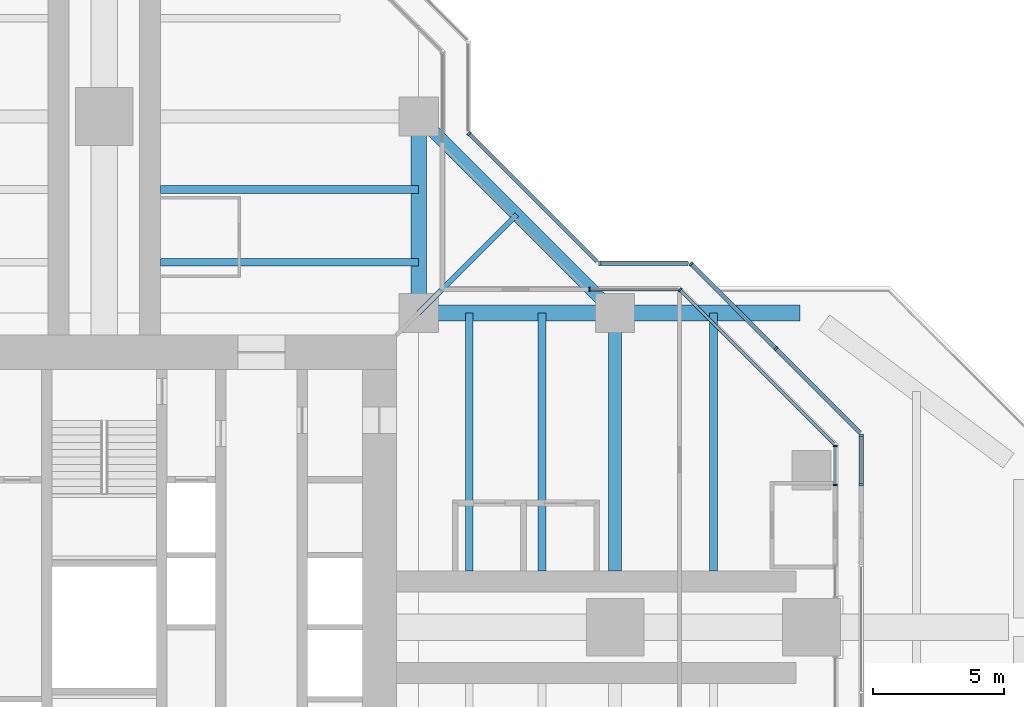
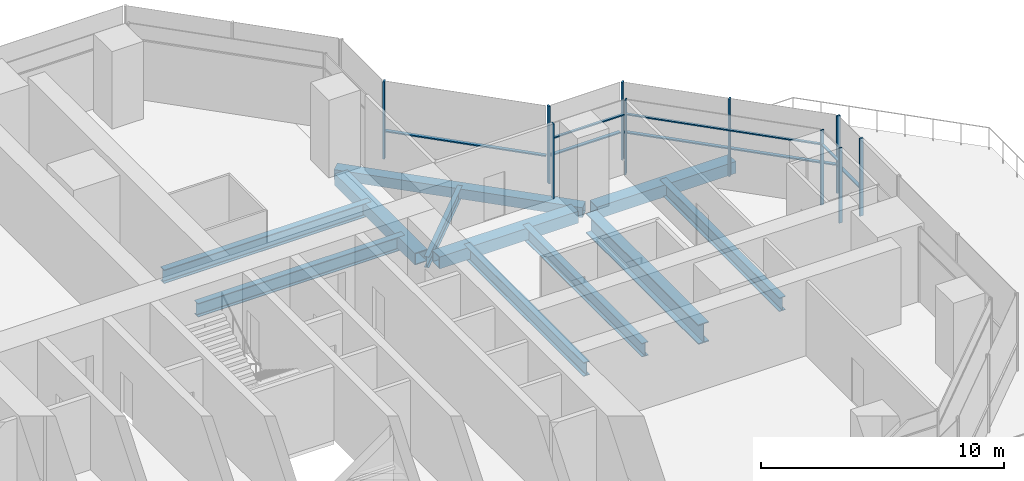
# One storey, part 9 of 19: 18 members, 11 beams, 7 elements without a shape of their own.
"""IFC4 building model written with IfcOpenShell, lengths in metres."""

from ifc_helpers import new_model, si_unit, direction, frame, origin, origin_2d, place, context, subcontext, project, spatial, rectangle, hollow_rectangle, i_section, extrude, material, material_profile, profile_set, type_object, element, aggregate, save


model = new_model("IFC4")

# Units and contexts
model_context = context("Model", 3, precision=1e-05, world=origin(), true_north=direction((0.0, 1.0)))
body_context = subcontext(model_context, "Body", "Model", "MODEL_VIEW")
ifc_project = project(units=[si_unit("LENGTHUNIT", "METRE"), si_unit("AREAUNIT", "SQUARE_METRE"), si_unit("VOLUMEUNIT", "CUBIC_METRE"), si_unit("PLANEANGLEUNIT", "RADIAN"), si_unit("MASSUNIT", "GRAM", prefix="KILO")], contexts=[model_context])

# Site, building, storey
site_placement = place(None, origin())
site = spatial("IfcSite", under=ifc_project, at=site_placement, CompositionType="ELEMENT")
building_placement = place(site_placement, origin())
building = spatial("IfcBuilding", under=site, at=building_placement, Name="Mizan Broadcast Tower", CompositionType="ELEMENT")
storey_placement = place(building_placement, frame((0.0, 0.0, 204.89990234375)))
storey = spatial("IfcBuildingStorey", under=building, at=storey_placement, Name="L47", CompositionType="ELEMENT", Elevation=204.89990234375)

# Beams
ifc_material_1 = material(Name="Steel S355", Category="steel")
ifc_material_profile_1 = material_profile(ifc_material_1, hollow_rectangle(XDim=0.5, YDim=0.5, WallThickness=0.030029296875, at=origin_2d()), Name="BOX 500x500x30")
ifc_profile_set_1 = profile_set([ifc_material_profile_1], Name="Steel S355")
beam_type_1 = type_object("IfcBeamType", Name="EDGE BEAM BOX 500x500x30", PredefinedType="SPANDREL", material=ifc_profile_set_1)
beam_1_placement = place(storey_placement, frame((19.5, 12.0, -0.3798828125), z_axis=(-0.707106781187, 0.707106781187, 0.0), x_axis=(-0.707106781187, -0.707106781187, 0.0)))
element("IfcBeam", 1, at=beam_1_placement, inside=storey, type_object=beam_type_1, Name="Winter garden edge beam L47 E", PredefinedType="SPANDREL", context=body_context, shape_type="SweptSolid", body=[
    extrude(hollow_rectangle(XDim=0.5, YDim=0.5, WallThickness=0.030029296875, at=origin_2d()), origin(), (0.0, 0.0, 1.0), 10.606689453125),
])
ifc_material_2 = material(Name="Steel S355", Category="steel")
ifc_material_profile_2 = material_profile(ifc_material_2, hollow_rectangle(XDim=0.60009765625, YDim=0.60009765625, WallThickness=0.0400390625, at=origin_2d()), Name="BOX 600x600x40")
ifc_profile_set_2 = profile_set([ifc_material_profile_2], Name="Steel S355")
beam_type_2 = type_object("IfcBeamType", Name="EDGE BEAM BOX 600x600x40", PredefinedType="SPANDREL", material=ifc_profile_set_2)
for number, where, z_axis, x_axis, name in (
    (2, (12.449951171875, 12.0, -0.429931640625), (1.0, 0.0, 0.0), (0.0, 1.0, 0.0), "Edge beam BOX 600x600x40 L47 east arm"),
    (3, (19.949951171875, 12.0, -0.5498046875), (1.0, 0.0, 0.0), (0.0, 1.0, 0.0), "Edge beam BOX 600x600x40 L47 east arm"),
    (4, (12.0, 12.449951171875, -0.429931640625), (0.0, 1.0, 0.0), (-1.0, 0.0, 0.0), "Edge beam BOX 600x600x40 L47 north arm"),
):
    element("IfcBeam", number, at=place(storey_placement, frame(where, z_axis=z_axis, x_axis=x_axis)), inside=storey, type_object=beam_type_2, Name=name, PredefinedType="SPANDREL", context=body_context, shape_type="SweptSolid", body=[
        extrude(hollow_rectangle(XDim=0.60009765625, YDim=0.60009765625, WallThickness=0.0400390625, at=origin_2d()), origin(), (0.0, 0.0, 1.0), 6.60009765625),
    ])
ifc_material_3 = material(Name="Steel S460", Category="steel")
ifc_material_profile_3 = material_profile(ifc_material_3, i_section(OverallWidth=0.5, OverallDepth=1.0, WebThickness=0.02490234375, FlangeThickness=0.050048828125, at=origin_2d()), Name="WPG 1000x500")
ifc_profile_set_3 = profile_set([ifc_material_profile_3], Name="Steel S460")
beam_type_3 = type_object("IfcBeamType", Name="GIRDER WPG 1000x500", PredefinedType="BEAM", material=ifc_profile_set_3)
beam_2_placement = place(storey_placement, frame((19.5, 11.408935546875, -0.6298828125), z_axis=(0.0, -1.0, 0.0), x_axis=(1.0, 0.0, 0.0)))
element("IfcBeam", 5, at=beam_2_placement, inside=storey, type_object=beam_type_3, Name="Girder WPG 1000x500 L47 east arm", PredefinedType="BEAM", context=body_context, shape_type="SweptSolid", body=[
    extrude(i_section(OverallWidth=0.5, OverallDepth=1.0, WebThickness=0.02490234375, FlangeThickness=0.050048828125, at=origin_2d()), origin(), (0.0, 0.0, 1.0), 9.259033203125),
])

# Curtain wall, members
ifc_material_4 = material(Name="Aluminium framed glazing", Category="aluminium")
curtain_wall_type_1 = type_object("IfcCurtainWallType", Name="INNER SKIN HIGH ZONE", PredefinedType="USERDEFINED", material=ifc_material_4)
curtain_wall_1_placement = place(storey_placement, origin())
curtain_wall_1 = element("IfcCurtainWall", 6, at=curtain_wall_1_placement, inside=storey, type_object=curtain_wall_type_1, Name="Inner skin high zone L47 E end", ObjectType="INNER SKIN HIGH ZONE", PredefinedType="USERDEFINED")
ifc_material_5 = material(Name="Aluminium, pale anodised", Category="aluminium")
ifc_material_profile_4 = material_profile(ifc_material_5, rectangle(XDim=0.159912109375, YDim=0.06005859375, at=origin_2d()), Name="MULLION 160x60")
ifc_profile_set_4 = profile_set([ifc_material_profile_4], Name="Aluminium, pale anodised")
member_type_1 = type_object("IfcMemberType", Name="INNER SKIN MULLION 60x160", PredefinedType="MULLION", material=ifc_profile_set_4)
member_1_placement = place(storey_placement, frame((27.89990234375, 5.429931640625, 0.0), z_axis=(0.0, 0.0, 1.0), x_axis=(-1.0, 0.0, 0.0)))
member_1 = element("IfcMember", 7, at=member_1_placement, type_object=member_type_1, Name="Inner skin high zone L47 E end mullion 1", PredefinedType="MULLION", context=body_context, shape_type="SweptSolid", body=[
    extrude(rectangle(XDim=0.159912109375, YDim=0.06005859375, at=origin_2d()), origin(), (0.0, 0.0, 1.0), 3.77001953125),
])
member_2_placement = place(storey_placement, frame((27.89990234375, 6.928466796875, 0.0), z_axis=(0.0, 0.0, 1.0), x_axis=(-1.0, 0.0, 0.0)))
member_2 = element("IfcMember", 8, at=member_2_placement, type_object=member_type_1, Name="Inner skin high zone L47 E end mullion 2", PredefinedType="MULLION", context=body_context, shape_type="SweptSolid", body=[
    extrude(rectangle(XDim=0.159912109375, YDim=0.06005859375, at=origin_2d()), origin(), (0.0, 0.0, 1.0), 3.77001953125),
])

# Curtain wall, member
curtain_wall_2_placement = place(storey_placement, origin())
curtain_wall_2 = element("IfcCurtainWall", 9, at=curtain_wall_2_placement, inside=storey, type_object=curtain_wall_type_1, Name="Inner skin high zone L47 E chamfer", ObjectType="INNER SKIN HIGH ZONE", PredefinedType="USERDEFINED")
member_3_placement = place(storey_placement, frame((21.979736328125, 12.87890625, 0.0), z_axis=(0.0, 0.0, 1.0), x_axis=(-0.707106781187, -0.707106781187, 0.0)))
member_3 = element("IfcMember", 10, at=member_3_placement, type_object=member_type_1, Name="Inner skin high zone L47 E chamfer mullion 2", PredefinedType="MULLION", context=body_context, shape_type="SweptSolid", body=[
    extrude(rectangle(XDim=0.159912109375, YDim=0.06005859375, at=origin_2d()), origin(), (0.0, 0.0, 1.0), 3.77001953125),
])

curtain_wall_3_placement = place(storey_placement, origin())
curtain_wall_3 = element("IfcCurtainWall", 11, at=curtain_wall_3_placement, inside=storey, type_object=curtain_wall_type_1, Name="Inner skin high zone L47 E side", ObjectType="INNER SKIN HIGH ZONE", PredefinedType="USERDEFINED")
member_4_placement = place(storey_placement, frame((18.530029296875, 12.89990234375, 0.0), z_axis=(0.0, 0.0, 1.0), x_axis=(0.0, -1.0, 0.0)))
member_4 = element("IfcMember", 12, at=member_4_placement, type_object=member_type_1, Name="Inner skin high zone L47 E side mullion 2", PredefinedType="MULLION", context=body_context, shape_type="SweptSolid", body=[
    extrude(rectangle(XDim=0.159912109375, YDim=0.06005859375, at=origin_2d()), origin(), (0.0, 0.0, 1.0), 3.77001953125),
])

# Member
ifc_material_6 = material(Name="Aluminium, pale anodised", Category="aluminium")
ifc_material_profile_5 = material_profile(ifc_material_6, rectangle(XDim=0.1201171875, YDim=0.06005859375, at=origin_2d()), Name="TRANSOM 120x60")
ifc_profile_set_5 = profile_set([ifc_material_profile_5], Name="Aluminium, pale anodised")
member_type_2 = type_object("IfcMemberType", Name="INNER SKIN TRANSOM 60x120", PredefinedType="USERDEFINED", material=ifc_profile_set_5)
member_5_placement = place(storey_placement, frame((27.89990234375, 5.4599609375, 3.030029296875), z_axis=(0.0, 1.0, 0.0), x_axis=(-1.0, 0.0, 0.0)))
member_5 = element("IfcMember", 13, at=member_5_placement, type_object=member_type_2, Name="Inner skin high zone L47 E end transom 1.1", ObjectType="TRANSOM", PredefinedType="USERDEFINED", context=body_context, shape_type="SweptSolid", body=[
    extrude(rectangle(XDim=0.1201171875, YDim=0.06005859375, at=origin_2d()), origin(), (0.0, 0.0, 1.0), 1.438720703125),
])

aggregate(curtain_wall_1, [member_1, member_2, member_5])

member_6_placement = place(storey_placement, frame((27.857666015625, 7.0009765625, 3.030029296875), z_axis=(-0.707106781187, 0.707106781187, 0.0), x_axis=(-0.707106781187, -0.707106781187, 0.0)))
member_6 = element("IfcMember", 14, at=member_6_placement, type_object=member_type_2, Name="Inner skin high zone L47 E chamfer transom 1.1", ObjectType="TRANSOM", PredefinedType="USERDEFINED", context=body_context, shape_type="SweptSolid", body=[
    extrude(rectangle(XDim=0.1201171875, YDim=0.06005859375, at=origin_2d()), origin(), (0.0, 0.0, 1.0), 8.28271484375),
])

aggregate(curtain_wall_2, [member_3, member_6])

member_7_placement = place(storey_placement, frame((21.898681640625, 12.89990234375, 3.030029296875), z_axis=(-1.0, 0.0, 0.0), x_axis=(0.0, -1.0, 0.0)))
member_7 = element("IfcMember", 15, at=member_7_placement, type_object=member_type_2, Name="Inner skin high zone L47 E side transom 1.1", ObjectType="TRANSOM", PredefinedType="USERDEFINED", context=body_context, shape_type="SweptSolid", body=[
    extrude(rectangle(XDim=0.1201171875, YDim=0.06005859375, at=origin_2d()), origin(), (0.0, 0.0, 1.0), 3.338623046875),
])

aggregate(curtain_wall_3, [member_4, member_7])

# Curtain wall, members
ifc_material_7 = material(Name="Aluminium framed glazing", Category="aluminium")
curtain_wall_type_2 = type_object("IfcCurtainWallType", Name="OUTER SKIN", PredefinedType="USERDEFINED", material=ifc_material_7)
curtain_wall_4_placement = place(storey_placement, origin())
curtain_wall_4 = element("IfcCurtainWall", 16, at=curtain_wall_4_placement, inside=storey, type_object=curtain_wall_type_2, Name="Outer skin L47 E end", ObjectType="OUTER SKIN", PredefinedType="USERDEFINED")
ifc_material_8 = material(Name="Aluminium, pale anodised", Category="aluminium")
ifc_material_profile_6 = material_profile(ifc_material_8, rectangle(XDim=0.159912109375, YDim=0.080078125, at=origin_2d()), Name="MULLION 160x80")
ifc_profile_set_6 = profile_set([ifc_material_profile_6], Name="Aluminium, pale anodised")
member_type_3 = type_object("IfcMemberType", Name="OUTER SKIN MULLION 80x160", PredefinedType="MULLION", material=ifc_profile_set_6)
member_8_placement = place(storey_placement, frame((28.89990234375, 5.43994140625, 0.0), z_axis=(0.0, 0.0, 1.0), x_axis=(-1.0, 0.0, 0.0)))
member_8 = element("IfcMember", 17, at=member_8_placement, type_object=member_type_3, Name="Outer skin L47 E end mullion 1", PredefinedType="MULLION", context=body_context, shape_type="SweptSolid", body=[
    extrude(rectangle(XDim=0.159912109375, YDim=0.080078125, at=origin_2d()), origin(), (0.0, 0.0, 1.0), 3.900146484375),
])
member_9_placement = place(storey_placement, frame((28.89990234375, 7.332763671875, 0.0), z_axis=(0.0, 0.0, 1.0), x_axis=(-1.0, 0.0, 0.0)))
member_9 = element("IfcMember", 18, at=member_9_placement, type_object=member_type_3, Name="Outer skin L47 E end mullion 2", PredefinedType="MULLION", context=body_context, shape_type="SweptSolid", body=[
    extrude(rectangle(XDim=0.159912109375, YDim=0.080078125, at=origin_2d()), origin(), (0.0, 0.0, 1.0), 3.900146484375),
])

curtain_wall_5_placement = place(storey_placement, origin())
curtain_wall_5 = element("IfcCurtainWall", 19, at=curtain_wall_5_placement, inside=storey, type_object=curtain_wall_type_2, Name="Outer skin L47 E chamfer", ObjectType="OUTER SKIN", PredefinedType="USERDEFINED")
member_10_placement = place(storey_placement, frame((25.636474609375, 10.636474609375, 0.0), z_axis=(0.0, 0.0, 1.0), x_axis=(-0.707106781187, -0.707106781187, 0.0)))
member_10 = element("IfcMember", 20, at=member_10_placement, type_object=member_type_3, Name="Outer skin L47 E chamfer mullion 2", PredefinedType="MULLION", context=body_context, shape_type="SweptSolid", body=[
    extrude(rectangle(XDim=0.159912109375, YDim=0.080078125, at=origin_2d()), origin(), (0.0, 0.0, 1.0), 3.900146484375),
])
member_11_placement = place(storey_placement, frame((22.401123046875, 13.871826171875, 0.0), z_axis=(0.0, 0.0, 1.0), x_axis=(-0.707106781187, -0.707106781187, 0.0)))
member_11 = element("IfcMember", 21, at=member_11_placement, type_object=member_type_3, Name="Outer skin L47 E chamfer mullion 3", PredefinedType="MULLION", context=body_context, shape_type="SweptSolid", body=[
    extrude(rectangle(XDim=0.159912109375, YDim=0.080078125, at=origin_2d()), origin(), (0.0, 0.0, 1.0), 3.900146484375),
])

# Curtain wall, member
curtain_wall_6_placement = place(storey_placement, origin())
curtain_wall_6 = element("IfcCurtainWall", 22, at=curtain_wall_6_placement, inside=storey, type_object=curtain_wall_type_2, Name="Outer skin L47 E side", ObjectType="OUTER SKIN", PredefinedType="USERDEFINED")
member_12_placement = place(storey_placement, frame((18.912841796875, 13.89990234375, 0.0), z_axis=(0.0, 0.0, 1.0), x_axis=(0.0, -1.0, 0.0)))
member_12 = element("IfcMember", 23, at=member_12_placement, type_object=member_type_3, Name="Outer skin L47 E side mullion 2", PredefinedType="MULLION", context=body_context, shape_type="SweptSolid", body=[
    extrude(rectangle(XDim=0.159912109375, YDim=0.080078125, at=origin_2d()), origin(), (0.0, 0.0, 1.0), 3.900146484375),
])

curtain_wall_7_placement = place(storey_placement, origin())
curtain_wall_7 = element("IfcCurtainWall", 24, at=curtain_wall_7_placement, inside=storey, type_object=curtain_wall_type_2, Name="Outer skin L47 E chamfer", ObjectType="OUTER SKIN", PredefinedType="USERDEFINED")
member_13_placement = place(storey_placement, frame((13.92822265625, 18.844482421875, 0.0), z_axis=(0.0, 0.0, 1.0), x_axis=(-0.707106781187, -0.707106781187, 0.0)))
member_13 = element("IfcMember", 25, at=member_13_placement, type_object=member_type_3, Name="Outer skin L47 E chamfer mullion 2", PredefinedType="MULLION", context=body_context, shape_type="SweptSolid", body=[
    extrude(rectangle(XDim=0.159912109375, YDim=0.080078125, at=origin_2d()), origin(), (0.0, 0.0, 1.0), 3.900146484375),
])

# Member
ifc_material_9 = material(Name="Aluminium, pale anodised", Category="aluminium")
ifc_material_profile_7 = material_profile(ifc_material_9, rectangle(XDim=0.159912109375, YDim=0.06005859375, at=origin_2d()), Name="TRANSOM 160x60")
ifc_profile_set_7 = profile_set([ifc_material_profile_7], Name="Aluminium, pale anodised")
member_type_4 = type_object("IfcMemberType", Name="OUTER SKIN TRANSOM 60x160", PredefinedType="USERDEFINED", material=ifc_profile_set_7)
member_14_placement = place(storey_placement, frame((28.89990234375, 5.47998046875, 1.400146484375), z_axis=(0.0, 1.0, 0.0), x_axis=(-1.0, 0.0, 0.0)))
member_14 = element("IfcMember", 26, at=member_14_placement, type_object=member_type_4, Name="Outer skin L47 E end transom 1.1", ObjectType="TRANSOM", PredefinedType="USERDEFINED", context=body_context, shape_type="SweptSolid", body=[
    extrude(rectangle(XDim=0.159912109375, YDim=0.06005859375, at=origin_2d()), origin(), (0.0, 0.0, 1.0), 1.812744140625),
])

aggregate(curtain_wall_4, [member_8, member_9, member_14])

member_15_placement = place(storey_placement, frame((28.843505859375, 7.429443359375, 1.400146484375), z_axis=(-0.707106781187, 0.707106781187, 0.0), x_axis=(-0.707106781187, -0.707106781187, 0.0)))
member_15 = element("IfcMember", 27, at=member_15_placement, type_object=member_type_4, Name="Outer skin L47 E chamfer transom 1.1", ObjectType="TRANSOM", PredefinedType="USERDEFINED", context=body_context, shape_type="SweptSolid", body=[
    extrude(rectangle(XDim=0.159912109375, YDim=0.06005859375, at=origin_2d()), origin(), (0.0, 0.0, 1.0), 4.495361328125),
])

member_16_placement = place(storey_placement, frame((25.608154296875, 10.664794921875, 1.400146484375), z_axis=(-0.707106781187, 0.707106781187, 0.0), x_axis=(-0.707106781187, -0.707106781187, 0.0)))
member_16 = element("IfcMember", 28, at=member_16_placement, type_object=member_type_4, Name="Outer skin L47 E chamfer transom 2.1", ObjectType="TRANSOM", PredefinedType="USERDEFINED", context=body_context, shape_type="SweptSolid", body=[
    extrude(rectangle(XDim=0.159912109375, YDim=0.06005859375, at=origin_2d()), origin(), (0.0, 0.0, 1.0), 4.495361328125),
])

aggregate(curtain_wall_5, [member_10, member_11, member_15, member_16])

member_17_placement = place(storey_placement, frame((22.292724609375, 13.89990234375, 1.400146484375), z_axis=(-1.0, 0.0, 0.0), x_axis=(0.0, -1.0, 0.0)))
member_17 = element("IfcMember", 29, at=member_17_placement, type_object=member_type_4, Name="Outer skin L47 E side transom 1.1", ObjectType="TRANSOM", PredefinedType="USERDEFINED", context=body_context, shape_type="SweptSolid", body=[
    extrude(rectangle(XDim=0.159912109375, YDim=0.06005859375, at=origin_2d()), origin(), (0.0, 0.0, 1.0), 3.33984375),
])

aggregate(curtain_wall_6, [member_12, member_17])

member_18_placement = place(storey_placement, frame((18.816162109375, 13.95654296875, 1.400146484375), z_axis=(-0.707106781187, 0.707106781187, 0.0), x_axis=(-0.707106781187, -0.707106781187, 0.0)))
member_18 = element("IfcMember", 30, at=member_18_placement, type_object=member_type_4, Name="Outer skin L47 E chamfer transom 1.1", ObjectType="TRANSOM", PredefinedType="USERDEFINED", context=body_context, shape_type="SweptSolid", body=[
    extrude(rectangle(XDim=0.159912109375, YDim=0.06005859375, at=origin_2d()), origin(), (0.0, 0.0, 1.0), 6.87255859375),
])

aggregate(curtain_wall_7, [member_13, member_18])

# Beams
ifc_material_10 = material(Name="Steel S355", Category="steel")
ifc_material_profile_8 = material_profile(ifc_material_10, i_section(OverallWidth=0.300048828125, OverallDepth=0.68994140625, WebThickness=0.014404296875, FlangeThickness=0.027099609375, FilletRadius=0.027099609375, at=origin_2d()), Name="HEA 700")
ifc_profile_set_8 = profile_set([ifc_material_profile_8], Name="Steel S355")
beam_type_4 = type_object("IfcBeamType", Name="SECONDARY BEAM HEA 700", PredefinedType="JOIST", material=ifc_profile_set_8)
for number, where, z_axis, x_axis, name in (
    (31, (13.933349609375, 12.0, -0.474853515625), (0.0, -1.0, 0.0), (1.0, 0.0, 0.0), "Secondary beam HEA 700 L47 east arm"),
    (32, (16.716552734375, 12.0, -0.474853515625), (0.0, -1.0, 0.0), (1.0, 0.0, 0.0), "Secondary beam HEA 700 L47 east arm"),
    (33, (23.25, 12.0, -0.474853515625), (0.0, -1.0, 0.0), (1.0, 0.0, 0.0), "Secondary beam HEA 700 L47 east arm"),
    (34, (12.0, 13.933349609375, -0.474853515625), (-1.0, 0.0, 0.0), (0.0, -1.0, 0.0), "Secondary beam HEA 700 L47 north arm"),
    (35, (12.0, 16.716552734375, -0.474853515625), (-1.0, 0.0, 0.0), (0.0, -1.0, 0.0), "Secondary beam HEA 700 L47 north arm"),
):
    element("IfcBeam", number, at=place(storey_placement, frame(where, z_axis=z_axis, x_axis=x_axis)), inside=storey, type_object=beam_type_4, Name=name, PredefinedType="JOIST", context=body_context, shape_type="SweptSolid", body=[
        extrude(i_section(OverallWidth=0.300048828125, OverallDepth=0.68994140625, WebThickness=0.014404296875, FlangeThickness=0.027099609375, FilletRadius=0.027099609375, at=origin_2d()), origin(), (0.0, 0.0, 1.0), 9.85009765625),
    ])
ifc_material_11 = material(Name="Steel S355", Category="steel")
ifc_material_profile_9 = material_profile(ifc_material_11, i_section(OverallWidth=0.2099609375, OverallDepth=0.550048828125, WebThickness=0.010986328125, FlangeThickness=0.01708984375, FilletRadius=0.02392578125, at=origin_2d()), Name="IPE 550")
ifc_profile_set_9 = profile_set([ifc_material_profile_9], Name="Steel S355")
beam_type_5 = type_object("IfcBeamType", Name="SECONDARY BEAM IPE 550", PredefinedType="JOIST", material=ifc_profile_set_9)
beam_3_placement = place(storey_placement, frame((12.0, 12.0, -0.40478515625), z_axis=(0.707106781187, 0.707106781187, 0.0), x_axis=(-0.707106781187, 0.707106781187, 0.0)))
element("IfcBeam", 36, at=beam_3_placement, inside=storey, type_object=beam_type_5, Name="Winter garden beam L47 E", PredefinedType="JOIST", context=body_context, shape_type="SweptSolid", body=[
    extrude(i_section(OverallWidth=0.2099609375, OverallDepth=0.550048828125, WebThickness=0.010986328125, FlangeThickness=0.01708984375, FilletRadius=0.02392578125, at=origin_2d()), origin(), (0.0, 0.0, 1.0), 5.30322265625),
])

save(model, "model.ifc")
